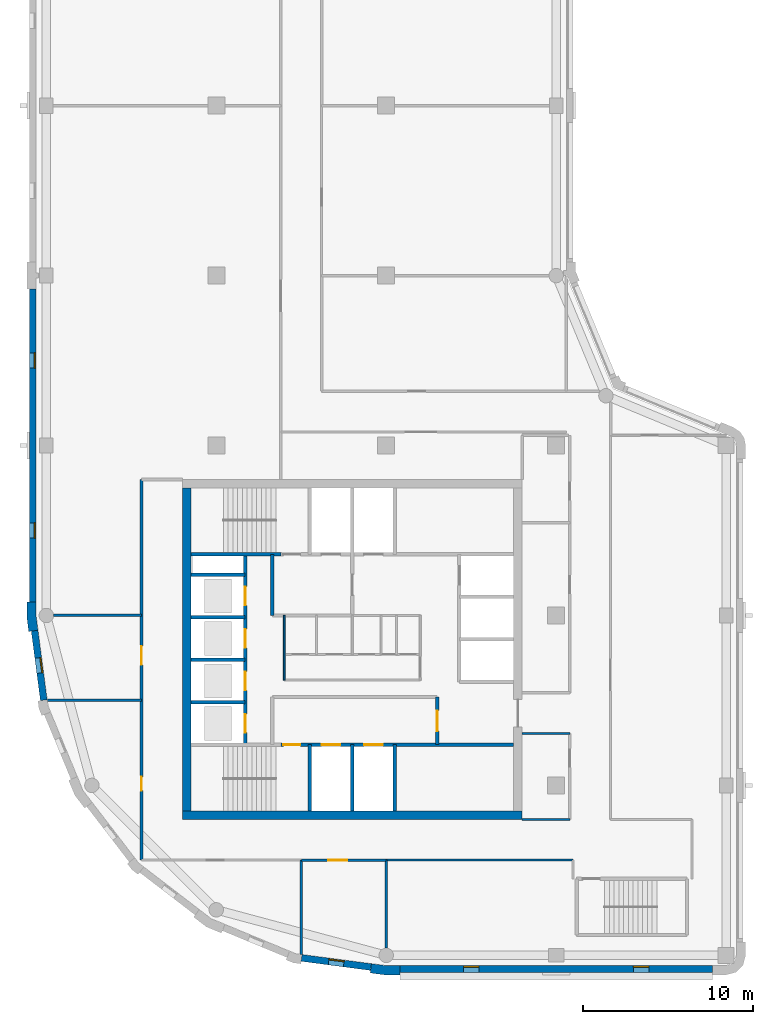
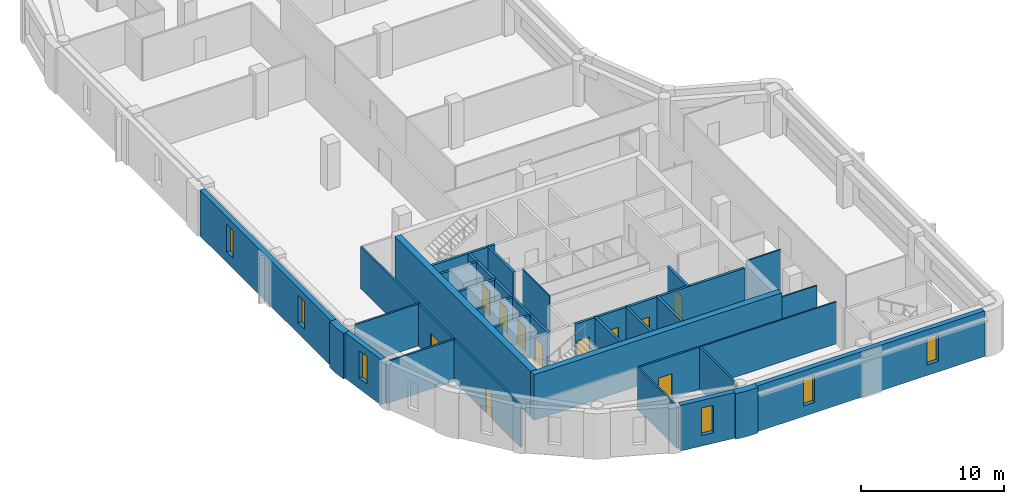
# One storey, part 2 of 8: 30 walls, 11 doors, 6 windows, 17 openings.
"""IFC4 building model written with IfcOpenShell, lengths in metres."""

from ifc_helpers import new_model, si_unit, direction, frame, frame_2d, origin, place, context, subcontext, project, spatial, polyline, rectangle, outline, extrude, material, layer, layer_set, type_object, element, fill, save


model = new_model("IFC4")

# Units and contexts
model_context = context("Model", 3, precision=1e-05, world=origin(), true_north=direction((0.0, 1.0)))
body_context = subcontext(model_context, "Body", "Model", "MODEL_VIEW")
ifc_project = project(units=[si_unit("LENGTHUNIT", "METRE"), si_unit("AREAUNIT", "SQUARE_METRE"), si_unit("VOLUMEUNIT", "CUBIC_METRE"), si_unit("PLANEANGLEUNIT", "RADIAN"), si_unit("MASSUNIT", "GRAM", prefix="KILO")], contexts=[model_context])

# Site, building, storey
site_placement = place(None, origin())
site = spatial("IfcSite", under=ifc_project, at=site_placement, CompositionType="ELEMENT")
building_placement = place(site_placement, origin())
building = spatial("IfcBuilding", under=site, at=building_placement, Name="Qaws Garden Tower", CompositionType="ELEMENT")
storey_placement = place(building_placement, frame((0.0, 0.0, 294.300048828125)))
storey = spatial("IfcBuildingStorey", under=building, at=storey_placement, Name="L71", CompositionType="ELEMENT", Elevation=294.300048828125)

# Wall, openings, windows
ifc_material_1 = material(Name="Clay facing brick masonry", Category="masonry")
ifc_layer_1 = layer(ifc_material_1, 0.39990234375)
ifc_layer_set_1 = layer_set([ifc_layer_1], Name="Clay facing brick masonry")
wall_type_1 = type_object("IfcWallType", Name="Brick infill wall 400", PredefinedType="SOLIDWALL", material=ifc_layer_set_1)
wall_1_placement = place(storey_placement, frame((20.800048828125, -0.800048828125, 0.0), z_axis=(0.0, 0.0, 1.0), x_axis=(1.0, 0.0, 0.0)))
wall_1 = element("IfcWall", 1, at=wall_1_placement, inside=storey, type_object=wall_type_1, Name="E-L71-infill-00", PredefinedType="SOLIDWALL", context=body_context, shape_type="SweptSolid", body=[
    extrude(rectangle(XDim=18.39990234375, YDim=0.39990234375, at=frame_2d((9.199951171875, 0.0))), origin(), (0.0, 0.0, 1.0), 3.89990234375),
])
opening_1_placement = place(wall_1_placement, frame((3.75, 0.0, 0.89990234375)))
opening_1 = element("IfcOpeningElement", 2, at=opening_1_placement, cuts=wall_1, Name="Opening W09", PredefinedType="OPENING", context=body_context, shape_type="SweptSolid", body=[
    extrude(rectangle(XDim=0.89990234375, YDim=2.35009765625, at=frame_2d((0.449951171875, 1.175048828125))), frame((0.0, 0.2099609375, 0.0), z_axis=(0.0, -1.0, 0.0), x_axis=(1.0, 0.0, 0.0)), (0.0, 0.0, 1.0), 0.419921875),
])
opening_2_placement = place(wall_1_placement, frame((13.75, 0.0, 0.89990234375)))
opening_2 = element("IfcOpeningElement", 3, at=opening_2_placement, cuts=wall_1, Name="Opening W09", PredefinedType="OPENING", context=body_context, shape_type="SweptSolid", body=[
    extrude(rectangle(XDim=0.89990234375, YDim=2.35009765625, at=frame_2d((0.449951171875, 1.175048828125))), frame((0.0, 0.2099609375, 0.0), z_axis=(0.0, -1.0, 0.0), x_axis=(1.0, 0.0, 0.0)), (0.0, 0.0, 1.0), 0.419921875),
])
ifc_material_2 = material(Name="Aluminium framed window, clear glazing", Category="aluminium")
window_type = type_object("IfcWindowType", Name="Slit window 900 x 2350", PartitioningType="SINGLE_PANEL", PredefinedType="WINDOW", material=ifc_material_2)
window_1_placement = place(opening_1_placement, origin())
window_1 = element("IfcWindow", 4, at=window_1_placement, inside=storey, type_object=window_type, Name="E-L71-window-00-0", OverallHeight=2.35009765625, OverallWidth=0.89990234375, PartitioningType="SINGLE_PANEL", PredefinedType="WINDOW", context=body_context, shape_type="SweptSolid", body=[
    extrude(rectangle(XDim=0.89990234375, YDim=2.35009765625, at=frame_2d((0.449951171875, 1.175048828125))), frame((0.0, 0.159912109375, 0.0), z_axis=(0.0, -1.0, 0.0), x_axis=(1.0, 0.0, 0.0)), (0.0, 0.0, 1.0), 0.06005859375),
])
fill(opening_1, window_1)
window_2_placement = place(opening_2_placement, origin())
window_2 = element("IfcWindow", 5, at=window_2_placement, inside=storey, type_object=window_type, Name="E-L71-window-01-0", OverallHeight=2.35009765625, OverallWidth=0.89990234375, PartitioningType="SINGLE_PANEL", PredefinedType="WINDOW", context=body_context, shape_type="SweptSolid", body=[
    extrude(rectangle(XDim=0.89990234375, YDim=2.35009765625, at=frame_2d((0.449951171875, 1.175048828125))), frame((0.0, 0.159912109375, 0.0), z_axis=(0.0, -1.0, 0.0), x_axis=(1.0, 0.0, 0.0)), (0.0, 0.0, 1.0), 0.06005859375),
])
fill(opening_2, window_2)

wall_2_placement = place(storey_placement, frame((-0.800048828125, 39.199951171875, 0.0), z_axis=(0.0, 0.0, 1.0), x_axis=(0.0, -1.0, 0.0)))
wall_2 = element("IfcWall", 6, at=wall_2_placement, inside=storey, type_object=wall_type_1, Name="E-L71-infill-19", PredefinedType="SOLIDWALL", context=body_context, shape_type="SweptSolid", body=[
    extrude(rectangle(XDim=18.39990234375, YDim=0.39990234375, at=frame_2d((9.199951171875, 0.0))), origin(), (0.0, 0.0, 1.0), 3.89990234375),
])
opening_3_placement = place(wall_2_placement, frame((3.75, 0.0, 0.89990234375)))
opening_3 = element("IfcOpeningElement", 7, at=opening_3_placement, cuts=wall_2, Name="Opening W09", PredefinedType="OPENING", context=body_context, shape_type="SweptSolid", body=[
    extrude(rectangle(XDim=0.89990234375, YDim=2.35009765625, at=frame_2d((0.449951171875, 1.175048828125))), frame((0.0, 0.2099609375, 0.0), z_axis=(0.0, -1.0, 0.0), x_axis=(1.0, 0.0, 0.0)), (0.0, 0.0, 1.0), 0.419921875),
])
opening_4_placement = place(wall_2_placement, frame((13.75, 0.0, 0.89990234375)))
opening_4 = element("IfcOpeningElement", 8, at=opening_4_placement, cuts=wall_2, Name="Opening W09", PredefinedType="OPENING", context=body_context, shape_type="SweptSolid", body=[
    extrude(rectangle(XDim=0.89990234375, YDim=2.35009765625, at=frame_2d((0.449951171875, 1.175048828125))), frame((0.0, 0.2099609375, 0.0), z_axis=(0.0, -1.0, 0.0), x_axis=(1.0, 0.0, 0.0)), (0.0, 0.0, 1.0), 0.419921875),
])
window_3_placement = place(opening_3_placement, origin())
window_3 = element("IfcWindow", 9, at=window_3_placement, inside=storey, type_object=window_type, Name="E-L71-window-19-0", OverallHeight=2.35009765625, OverallWidth=0.89990234375, PartitioningType="SINGLE_PANEL", PredefinedType="WINDOW", context=body_context, shape_type="SweptSolid", body=[
    extrude(rectangle(XDim=0.89990234375, YDim=2.35009765625, at=frame_2d((0.449951171875, 1.175048828125))), frame((0.0, 0.159912109375, 0.0), z_axis=(0.0, -1.0, 0.0), x_axis=(1.0, 0.0, 0.0)), (0.0, 0.0, 1.0), 0.06005859375),
])
fill(opening_3, window_3)
window_4_placement = place(opening_4_placement, origin())
window_4 = element("IfcWindow", 10, at=window_4_placement, inside=storey, type_object=window_type, Name="E-L71-window-20-0", OverallHeight=2.35009765625, OverallWidth=0.89990234375, PartitioningType="SINGLE_PANEL", PredefinedType="WINDOW", context=body_context, shape_type="SweptSolid", body=[
    extrude(rectangle(XDim=0.89990234375, YDim=2.35009765625, at=frame_2d((0.449951171875, 1.175048828125))), frame((0.0, 0.159912109375, 0.0), z_axis=(0.0, -1.0, 0.0), x_axis=(1.0, 0.0, 0.0)), (0.0, 0.0, 1.0), 0.06005859375),
])
fill(opening_4, window_4)

# Wall, opening, window
wall_3_placement = place(storey_placement, frame((-0.688720703125, 19.102294921875, 0.0), z_axis=(0.0, 0.0, 1.0), x_axis=(0.130514280502, -0.991446429508, 0.0)))
wall_3 = element("IfcWall", 11, at=wall_3_placement, inside=storey, type_object=wall_type_1, Name="E-L71-infill-21", PredefinedType="SOLIDWALL", context=body_context, shape_type="SweptSolid", body=[
    extrude(rectangle(XDim=4.120849609375, YDim=0.39990234375, at=frame_2d((2.060546875, 0.0))), origin(), (0.0, 0.0, 1.0), 3.89990234375),
])
opening_5_placement = place(wall_3_placement, frame((1.610595703125, 0.0, 0.89990234375)))
opening_5 = element("IfcOpeningElement", 12, at=opening_5_placement, cuts=wall_3, Name="Opening W09", PredefinedType="OPENING", context=body_context, shape_type="SweptSolid", body=[
    extrude(rectangle(XDim=0.89990234375, YDim=2.35009765625, at=frame_2d((0.449951171875, 1.175048828125))), frame((0.0, 0.2099609375, 0.0), z_axis=(0.0, -1.0, 0.0), x_axis=(1.0, 0.0, 0.0)), (0.0, 0.0, 1.0), 0.419921875),
])
window_5_placement = place(opening_5_placement, origin())
window_5 = element("IfcWindow", 13, at=window_5_placement, inside=storey, type_object=window_type, Name="E-L71-window-21-0", OverallHeight=2.35009765625, OverallWidth=0.89990234375, PartitioningType="SINGLE_PANEL", PredefinedType="WINDOW", context=body_context, shape_type="SweptSolid", body=[
    extrude(rectangle(XDim=0.89990234375, YDim=2.35009765625, at=frame_2d((0.449951171875, 1.175048828125))), frame((0.0, 0.159912109375, 0.0), z_axis=(0.0, -1.0, 0.0), x_axis=(1.0, 0.0, 0.0)), (0.0, 0.0, 1.0), 0.06005859375),
])
fill(opening_5, window_5)

wall_4_placement = place(storey_placement, frame((15.0166015625, -0.15087890625, 0.0), z_axis=(0.0, 0.0, 1.0), x_axis=(0.991446429508, -0.130514280502, 0.0)))
wall_4 = element("IfcWall", 14, at=wall_4_placement, inside=storey, type_object=wall_type_1, Name="E-L71-infill-26", PredefinedType="SOLIDWALL", context=body_context, shape_type="SweptSolid", body=[
    extrude(rectangle(XDim=4.120849609375, YDim=0.39990234375, at=frame_2d((2.060546875, 0.0))), origin(), (0.0, 0.0, 1.0), 3.89990234375),
])
opening_6_placement = place(wall_4_placement, frame((1.610595703125, 0.0, 0.89990234375)))
opening_6 = element("IfcOpeningElement", 15, at=opening_6_placement, cuts=wall_4, Name="Opening W09", PredefinedType="OPENING", context=body_context, shape_type="SweptSolid", body=[
    extrude(rectangle(XDim=0.89990234375, YDim=2.35009765625, at=frame_2d((0.449951171875, 1.175048828125))), frame((0.0, 0.2099609375, 0.0), z_axis=(0.0, -1.0, 0.0), x_axis=(1.0, 0.0, 0.0)), (0.0, 0.0, 1.0), 0.419921875),
])
window_6_placement = place(opening_6_placement, origin())
window_6 = element("IfcWindow", 16, at=window_6_placement, inside=storey, type_object=window_type, Name="E-L71-window-26-0", OverallHeight=2.35009765625, OverallWidth=0.89990234375, PartitioningType="SINGLE_PANEL", PredefinedType="WINDOW", context=body_context, shape_type="SweptSolid", body=[
    extrude(rectangle(XDim=0.89990234375, YDim=2.35009765625, at=frame_2d((0.449951171875, 1.175048828125))), frame((0.0, 0.159912109375, 0.0), z_axis=(0.0, -1.0, 0.0), x_axis=(1.0, 0.0, 0.0)), (0.0, 0.0, 1.0), 0.06005859375),
])
fill(opening_6, window_6)

# Walls
ifc_material_3 = material(Name="Clay facing brick masonry", Category="masonry")
ifc_layer_2 = layer(ifc_material_3, 0.550048828125)
ifc_layer_set_2 = layer_set([ifc_layer_2], Name="Clay facing brick masonry")
wall_type_2 = type_object("IfcWallType", Name="Brick pier 550 x 1600", PredefinedType="SOLIDWALL", material=ifc_layer_set_2)
placement = place(storey_placement, origin())
element("IfcWall", 17, at=placement, inside=storey, type_object=wall_type_2, Name="E-L71-pier-00", PredefinedType="SOLIDWALL", context=body_context, shape_type="SweptSolid", body=[
    extrude(outline(polyline([(19.076416015625, -0.886962890625), (19.056640625, -1.03564453125), (19.924560546875, -1.14990234375), (20.800048828125, -1.14990234375), (20.800048828125, -1.0), (20.800048828125, -0.60009765625), (19.960693359375, -0.60009765625), (19.12841796875, -0.490478515625), (19.076416015625, -0.886962890625)])), origin(), (0.0, 0.0, 1.0), 3.89990234375),
])
element("IfcWall", 18, at=placement, inside=storey, type_object=wall_type_2, Name="E-L71-pier-21", PredefinedType="SOLIDWALL", context=body_context, shape_type="SweptSolid", body=[
    extrude(outline(polyline([(-1.0, 20.800048828125), (-1.14990234375, 20.800048828125), (-1.14990234375, 19.924560546875), (-1.03564453125, 19.056640625), (-0.886962890625, 19.076416015625), (-0.490478515625, 19.12841796875), (-0.60009765625, 19.960693359375), (-0.60009765625, 20.800048828125), (-1.0, 20.800048828125)])), origin(), (0.0, 0.0, 1.0), 3.89990234375),
])
ifc_material_4 = material(Name="Plasterboard")
ifc_layer_3 = layer(ifc_material_4, 0.10009765625)
ifc_layer_set_3 = layer_set([ifc_layer_3], Name="Plasterboard")
wall_type_3 = type_object("IfcWallType", Name="Core partition 100", PredefinedType="PARTITIONING", material=ifc_layer_set_3)
wall_7_placement = place(storey_placement, frame((14.0, 16.199951171875, 0.0), z_axis=(0.0, 0.0, 1.0), x_axis=(0.0, 1.0, 0.0)))
element("IfcWall", 19, at=wall_7_placement, inside=storey, type_object=wall_type_3, Name="Core partition", PredefinedType="PARTITIONING", context=body_context, shape_type="SweptSolid", body=[
    extrude(rectangle(XDim=3.800048828125, YDim=0.10009765625, at=frame_2d((1.89990234375, 0.0))), origin(), (0.0, 0.0, 1.0), 3.579833984375),
])

# Wall, openings, doors
ifc_material_5 = material(Name="Concrete C60", Category="concrete")
ifc_layer_4 = layer(ifc_material_5, 0.199951171875)
ifc_layer_set_4 = layer_set([ifc_layer_4], Name="Concrete C60")
wall_type_4 = type_object("IfcWallType", Name="Core shaft wall 200 C60", PredefinedType="SHEAR", material=ifc_layer_set_4)
wall_8_placement = place(storey_placement, frame((13.800048828125, 12.39990234375, 0.0), z_axis=(0.0, 0.0, 1.0), x_axis=(1.0, 0.0, 0.0)))
wall_8 = element("IfcWall", 20, at=wall_8_placement, inside=storey, type_object=wall_type_4, Name="Shaft wall", PredefinedType="SHEAR", context=body_context, shape_type="SweptSolid", body=[
    extrude(rectangle(XDim=13.699951171875, YDim=0.199951171875, at=frame_2d((6.85009765625, 0.0))), origin(), (0.0, 0.0, 1.0), 3.579833984375),
])
opening_7_placement = place(wall_8_placement, frame((2.39990234375, 0.0, 0.0)))
opening_7 = element("IfcOpeningElement", 21, at=opening_7_placement, cuts=wall_8, Name="Opening LD06", PredefinedType="OPENING", context=body_context, shape_type="SweptSolid", body=[
    extrude(rectangle(XDim=1.10009765625, YDim=2.10009765625, at=frame_2d((0.550048828125, 1.050048828125))), frame((0.0, 0.10986328125, 0.0), z_axis=(0.0, -1.0, 0.0), x_axis=(1.0, 0.0, 0.0)), (0.0, 0.0, 1.0), 0.219970703125),
])
opening_8_placement = place(wall_8_placement, frame((4.89990234375, 0.0, 0.0)))
opening_8 = element("IfcOpeningElement", 22, at=opening_8_placement, cuts=wall_8, Name="Opening LD07", PredefinedType="OPENING", context=body_context, shape_type="SweptSolid", body=[
    extrude(rectangle(XDim=1.10009765625, YDim=2.10009765625, at=frame_2d((0.550048828125, 1.050048828125))), frame((0.0, 0.10986328125, 0.0), z_axis=(0.0, -1.0, 0.0), x_axis=(1.0, 0.0, 0.0)), (0.0, 0.0, 1.0), 0.219970703125),
])
opening_9_placement = place(wall_8_placement, frame((0.14990234375, 0.0, 0.0)))
opening_9 = element("IfcOpeningElement", 23, at=opening_9_placement, cuts=wall_8, Name="Opening SD10", PredefinedType="OPENING", context=body_context, shape_type="SweptSolid", body=[
    extrude(rectangle(XDim=1.0, YDim=2.10009765625, at=frame_2d((0.5, 1.050048828125))), frame((0.0, 0.10986328125, 0.0), z_axis=(0.0, -1.0, 0.0), x_axis=(1.0, 0.0, 0.0)), (0.0, 0.0, 1.0), 0.219970703125),
])
ifc_material_6 = material(Name="Steel S235", Category="steel")
door_type_1 = type_object("IfcDoorType", Name="Landing door 1100x2100", OperationType="DOUBLE_DOOR_SLIDING", PredefinedType="DOOR", material=ifc_material_6)
door_1_placement = place(opening_7_placement, origin())
door_1 = element("IfcDoor", 24, at=door_1_placement, inside=storey, type_object=door_type_1, Name="Lift FF1 landing door", OperationType="DOUBLE_DOOR_SLIDING", OverallHeight=2.10009765625, OverallWidth=1.10009765625, PredefinedType="DOOR", context=body_context, shape_type="SweptSolid", body=[
    extrude(rectangle(XDim=1.10009765625, YDim=2.10009765625, at=frame_2d((0.550048828125, 1.050048828125))), frame((0.0, 0.02490234375, 0.0), z_axis=(0.0, -1.0, 0.0), x_axis=(1.0, 0.0, 0.0)), (0.0, 0.0, 1.0), 0.050048828125),
])
fill(opening_7, door_1)
door_2_placement = place(opening_8_placement, origin())
door_2 = element("IfcDoor", 25, at=door_2_placement, inside=storey, type_object=door_type_1, Name="Lift FF2 landing door", OperationType="DOUBLE_DOOR_SLIDING", OverallHeight=2.10009765625, OverallWidth=1.10009765625, PredefinedType="DOOR", context=body_context, shape_type="SweptSolid", body=[
    extrude(rectangle(XDim=1.10009765625, YDim=2.10009765625, at=frame_2d((0.550048828125, 1.050048828125))), frame((0.0, 0.02490234375, 0.0), z_axis=(0.0, -1.0, 0.0), x_axis=(1.0, 0.0, 0.0)), (0.0, 0.0, 1.0), 0.050048828125),
])
fill(opening_8, door_2)
ifc_material_7 = material(Name="Steel S235", Category="steel")
door_type_2 = type_object("IfcDoorType", Name="Stair door 1000x2100", OperationType="SINGLE_SWING_RIGHT", PredefinedType="DOOR", material=ifc_material_7)
door_3_placement = place(opening_9_placement, frame((1.0, 0.0, 0.0), z_axis=(0.0, 0.0, 1.0), x_axis=(-1.0, 0.0, 0.0)))
door_3 = element("IfcDoor", 26, at=door_3_placement, inside=storey, type_object=door_type_2, Name="Stair 1 door", OperationType="SINGLE_SWING_LEFT", OverallHeight=2.10009765625, OverallWidth=1.0, PredefinedType="DOOR", context=body_context, shape_type="SweptSolid", body=[
    extrude(rectangle(XDim=1.0, YDim=2.10009765625, at=frame_2d((0.5, 1.050048828125))), frame((0.0, 0.02490234375, 0.0), z_axis=(0.0, -1.0, 0.0), x_axis=(1.0, 0.0, 0.0)), (0.0, 0.0, 1.0), 0.050048828125),
])
fill(opening_9, door_3)

# Walls
for number, where, z_axis, x_axis, name in (
    (27, (8.5, 14.89990234375, 0.0), (0.0, 0.0, 1.0), (1.0, 0.0, 0.0), "Shaft wall"),
    (28, (8.5, 17.39990234375, 0.0), (0.0, 0.0, 1.0), (1.0, 0.0, 0.0), "Shaft wall"),
    (29, (8.5, 19.89990234375, 0.0), (0.0, 0.0, 1.0), (1.0, 0.0, 0.0), "Shaft wall"),
    (30, (8.5, 22.39990234375, 0.0), (0.0, 0.0, 1.0), (1.0, 0.0, 0.0), "Shaft wall"),
):
    element("IfcWall", number, at=place(storey_placement, frame(where, z_axis=z_axis, x_axis=x_axis)), inside=storey, type_object=wall_type_4, Name=name, PredefinedType="SHEAR", context=body_context, shape_type="SweptSolid", body=[
        extrude(rectangle(XDim=3.199951171875, YDim=0.199951171875, at=frame_2d((1.60009765625, 0.0))), origin(), (0.0, 0.0, 1.0), 3.579833984375),
    ])
wall_9_placement = place(storey_placement, frame((8.5, 23.60009765625, 0.0), z_axis=(0.0, 0.0, 1.0), x_axis=(1.0, 0.0, 0.0)))
element("IfcWall", 31, at=wall_9_placement, inside=storey, type_object=wall_type_4, Name="Shaft wall", PredefinedType="SHEAR", context=body_context, shape_type="SweptSolid", body=[
    extrude(rectangle(XDim=5.300048828125, YDim=0.199951171875, at=frame_2d((2.64990234375, 0.0))), origin(), (0.0, 0.0, 1.0), 3.579833984375),
])

# Wall, openings, doors
wall_10_placement = place(storey_placement, frame((11.699951171875, 12.39990234375, 0.0), z_axis=(0.0, 0.0, 1.0), x_axis=(0.0, 1.0, 0.0)))
wall_10 = element("IfcWall", 32, at=wall_10_placement, inside=storey, type_object=wall_type_4, Name="Shaft wall", PredefinedType="SHEAR", context=body_context, shape_type="SweptSolid", body=[
    extrude(rectangle(XDim=11.2001953125, YDim=0.199951171875, at=frame_2d((5.60009765625, 0.0))), origin(), (0.0, 0.0, 1.0), 3.579833984375),
])
opening_10_placement = place(wall_10_placement, frame((0.699951171875, 0.0, 0.0)))
opening_10 = element("IfcOpeningElement", 33, at=opening_10_placement, cuts=wall_10, Name="Opening LD01", PredefinedType="OPENING", context=body_context, shape_type="SweptSolid", body=[
    extrude(rectangle(XDim=1.10009765625, YDim=2.10009765625, at=frame_2d((0.550048828125, 1.050048828125))), frame((0.0, 0.10986328125, 0.0), z_axis=(0.0, -1.0, 0.0), x_axis=(1.0, 0.0, 0.0)), (0.0, 0.0, 1.0), 0.219970703125),
])
opening_11_placement = place(wall_10_placement, frame((3.199951171875, 0.0, 0.0)))
opening_11 = element("IfcOpeningElement", 34, at=opening_11_placement, cuts=wall_10, Name="Opening LD02", PredefinedType="OPENING", context=body_context, shape_type="SweptSolid", body=[
    extrude(rectangle(XDim=1.10009765625, YDim=2.10009765625, at=frame_2d((0.550048828125, 1.050048828125))), frame((0.0, 0.10986328125, 0.0), z_axis=(0.0, -1.0, 0.0), x_axis=(1.0, 0.0, 0.0)), (0.0, 0.0, 1.0), 0.219970703125),
])
opening_12_placement = place(wall_10_placement, frame((5.699951171875, 0.0, 0.0)))
opening_12 = element("IfcOpeningElement", 35, at=opening_12_placement, cuts=wall_10, Name="Opening LD03", PredefinedType="OPENING", context=body_context, shape_type="SweptSolid", body=[
    extrude(rectangle(XDim=1.10009765625, YDim=2.10009765625, at=frame_2d((0.550048828125, 1.050048828125))), frame((0.0, 0.10986328125, 0.0), z_axis=(0.0, -1.0, 0.0), x_axis=(1.0, 0.0, 0.0)), (0.0, 0.0, 1.0), 0.219970703125),
])
opening_13_placement = place(wall_10_placement, frame((8.199951171875, 0.0, 0.0)))
opening_13 = element("IfcOpeningElement", 36, at=opening_13_placement, cuts=wall_10, Name="Opening LD04", PredefinedType="OPENING", context=body_context, shape_type="SweptSolid", body=[
    extrude(rectangle(XDim=1.10009765625, YDim=2.10009765625, at=frame_2d((0.550048828125, 1.050048828125))), frame((0.0, 0.10986328125, 0.0), z_axis=(0.0, -1.0, 0.0), x_axis=(1.0, 0.0, 0.0)), (0.0, 0.0, 1.0), 0.219970703125),
])
door_4_placement = place(opening_10_placement, origin())
door_4 = element("IfcDoor", 37, at=door_4_placement, inside=storey, type_object=door_type_1, Name="Lift W1 landing door", OperationType="DOUBLE_DOOR_SLIDING", OverallHeight=2.10009765625, OverallWidth=1.10009765625, PredefinedType="DOOR", context=body_context, shape_type="SweptSolid", body=[
    extrude(rectangle(XDim=1.10009765625, YDim=2.10009765625, at=frame_2d((0.550048828125, 1.050048828125))), frame((0.0, 0.02490234375, 0.0), z_axis=(0.0, -1.0, 0.0), x_axis=(1.0, 0.0, 0.0)), (0.0, 0.0, 1.0), 0.050048828125),
])
fill(opening_10, door_4)
door_5_placement = place(opening_11_placement, origin())
door_5 = element("IfcDoor", 38, at=door_5_placement, inside=storey, type_object=door_type_1, Name="Lift W2 landing door", OperationType="DOUBLE_DOOR_SLIDING", OverallHeight=2.10009765625, OverallWidth=1.10009765625, PredefinedType="DOOR", context=body_context, shape_type="SweptSolid", body=[
    extrude(rectangle(XDim=1.10009765625, YDim=2.10009765625, at=frame_2d((0.550048828125, 1.050048828125))), frame((0.0, 0.02490234375, 0.0), z_axis=(0.0, -1.0, 0.0), x_axis=(1.0, 0.0, 0.0)), (0.0, 0.0, 1.0), 0.050048828125),
])
fill(opening_11, door_5)
door_6_placement = place(opening_12_placement, origin())
door_6 = element("IfcDoor", 39, at=door_6_placement, inside=storey, type_object=door_type_1, Name="Lift W3 landing door", OperationType="DOUBLE_DOOR_SLIDING", OverallHeight=2.10009765625, OverallWidth=1.10009765625, PredefinedType="DOOR", context=body_context, shape_type="SweptSolid", body=[
    extrude(rectangle(XDim=1.10009765625, YDim=2.10009765625, at=frame_2d((0.550048828125, 1.050048828125))), frame((0.0, 0.02490234375, 0.0), z_axis=(0.0, -1.0, 0.0), x_axis=(1.0, 0.0, 0.0)), (0.0, 0.0, 1.0), 0.050048828125),
])
fill(opening_12, door_6)
door_7_placement = place(opening_13_placement, origin())
door_7 = element("IfcDoor", 40, at=door_7_placement, inside=storey, type_object=door_type_1, Name="Lift W4 landing door", OperationType="DOUBLE_DOOR_SLIDING", OverallHeight=2.10009765625, OverallWidth=1.10009765625, PredefinedType="DOOR", context=body_context, shape_type="SweptSolid", body=[
    extrude(rectangle(XDim=1.10009765625, YDim=2.10009765625, at=frame_2d((0.550048828125, 1.050048828125))), frame((0.0, 0.02490234375, 0.0), z_axis=(0.0, -1.0, 0.0), x_axis=(1.0, 0.0, 0.0)), (0.0, 0.0, 1.0), 0.050048828125),
])
fill(opening_13, door_7)

# Walls
wall_11_placement = place(storey_placement, frame((13.300048828125, 20.0, 0.0), z_axis=(0.0, 0.0, 1.0), x_axis=(0.0, 1.0, 0.0)))
element("IfcWall", 41, at=wall_11_placement, inside=storey, type_object=wall_type_4, Name="Shaft wall", PredefinedType="SHEAR", context=body_context, shape_type="SweptSolid", body=[
    extrude(rectangle(XDim=3.60009765625, YDim=0.199951171875, at=frame_2d((1.800048828125, 0.0))), origin(), (0.0, 0.0, 1.0), 3.579833984375),
])
for number, where, z_axis, x_axis, name in (
    (42, (15.5, 8.5, 0.0), (0.0, 0.0, 1.0), (0.0, 1.0, 0.0), "Shaft wall"),
    (43, (18.0, 8.5, 0.0), (0.0, 0.0, 1.0), (0.0, 1.0, 0.0), "Shaft wall"),
    (44, (20.5, 8.5, 0.0), (0.0, 0.0, 1.0), (0.0, 1.0, 0.0), "Shaft wall"),
):
    element("IfcWall", number, at=place(storey_placement, frame(where, z_axis=z_axis, x_axis=x_axis)), inside=storey, type_object=wall_type_4, Name=name, PredefinedType="SHEAR", context=body_context, shape_type="SweptSolid", body=[
        extrude(rectangle(XDim=3.89990234375, YDim=0.199951171875, at=frame_2d((1.949951171875, 0.0))), origin(), (0.0, 0.0, 1.0), 3.579833984375),
    ])

# Wall, opening, door
wall_12_placement = place(storey_placement, frame((23.0, 12.39990234375, 0.0), z_axis=(0.0, 0.0, 1.0), x_axis=(0.0, 1.0, 0.0)))
wall_12 = element("IfcWall", 45, at=wall_12_placement, inside=storey, type_object=wall_type_4, Name="Shaft wall", PredefinedType="SHEAR", context=body_context, shape_type="SweptSolid", body=[
    extrude(rectangle(XDim=2.800048828125, YDim=0.199951171875, at=frame_2d((1.39990234375, 0.0))), origin(), (0.0, 0.0, 1.0), 3.579833984375),
])
opening_14_placement = place(wall_12_placement, frame((0.800048828125, 0.0, 0.0)))
opening_14 = element("IfcOpeningElement", 46, at=opening_14_placement, cuts=wall_12, Name="Opening FD15", PredefinedType="OPENING", context=body_context, shape_type="SweptSolid", body=[
    extrude(rectangle(XDim=1.199951171875, YDim=2.10009765625, at=frame_2d((0.60009765625, 1.050048828125))), frame((0.0, 0.10986328125, 0.0), z_axis=(0.0, -1.0, 0.0), x_axis=(1.0, 0.0, 0.0)), (0.0, 0.0, 1.0), 0.219970703125),
])
ifc_material_8 = material(Name="Steel S235", Category="steel")
door_type_3 = type_object("IfcDoorType", Name="Lobby door 1200x2100", OperationType="DOUBLE_DOOR_SINGLE_SWING", PredefinedType="DOOR", material=ifc_material_8)
door_8_placement = place(opening_14_placement, origin())
door_8 = element("IfcDoor", 47, at=door_8_placement, inside=storey, type_object=door_type_3, Name="Fire-fighting lobby door", OperationType="DOUBLE_DOOR_SINGLE_SWING", OverallHeight=2.10009765625, OverallWidth=1.199951171875, PredefinedType="DOOR", context=body_context, shape_type="SweptSolid", body=[
    extrude(rectangle(XDim=1.199951171875, YDim=2.10009765625, at=frame_2d((0.60009765625, 1.050048828125))), frame((0.0, 0.02490234375, 0.0), z_axis=(0.0, -1.0, 0.0), x_axis=(1.0, 0.0, 0.0)), (0.0, 0.0, 1.0), 0.050048828125),
])
fill(opening_14, door_8)

# Walls
ifc_material_9 = material(Name="Concrete C60", Category="concrete")
ifc_layer_5 = layer(ifc_material_9, 0.5)
ifc_layer_set_5 = layer_set([ifc_layer_5], Name="Concrete C60")
wall_type_5 = type_object("IfcWallType", Name="Core wall 500 C60", PredefinedType="SHEAR", material=ifc_layer_set_5)
wall_13_placement = place(storey_placement, frame((8.0, 8.25, 0.0), z_axis=(0.0, 0.0, 1.0), x_axis=(1.0, 0.0, 0.0)))
element("IfcWall", 48, at=wall_13_placement, inside=storey, type_object=wall_type_5, Name="Core wall L71 south", PredefinedType="SHEAR", context=body_context, shape_type="SweptSolid", body=[
    extrude(rectangle(XDim=20.0, YDim=0.5, at=frame_2d((10.0, 0.0))), origin(), (0.0, 0.0, 1.0), 3.89990234375),
])
wall_14_placement = place(storey_placement, frame((8.25, 27.5, 0.0), z_axis=(0.0, 0.0, 1.0), x_axis=(0.0, -1.0, 0.0)))
element("IfcWall", 49, at=wall_14_placement, inside=storey, type_object=wall_type_5, Name="Core wall L71 west", PredefinedType="SHEAR", context=body_context, shape_type="SweptSolid", body=[
    extrude(rectangle(XDim=19.0, YDim=0.5, at=frame_2d((9.5, 0.0))), origin(), (0.0, 0.0, 1.0), 3.89990234375),
])
ifc_material_10 = material(Name="Glass and aluminium framing", Category="aluminium")
ifc_layer_6 = layer(ifc_material_10, 0.1201171875)
ifc_layer_set_6 = layer_set([ifc_layer_6], Name="Glass and aluminium framing")
wall_type_6 = type_object("IfcWallType", Name="GLAZED PARTITION 120 EI 30", PredefinedType="PARTITIONING", material=ifc_layer_set_6)
wall_15_placement = place(storey_placement, frame((20.0, 5.60009765625, 0.0), z_axis=(0.0, 0.0, 1.0), x_axis=(1.0, 0.0, 0.0)))
element("IfcWall", 50, at=wall_15_placement, inside=storey, type_object=wall_type_6, Name="O-L71-wall-042", PredefinedType="PARTITIONING", context=body_context, shape_type="SweptSolid", body=[
    extrude(rectangle(XDim=11.0, YDim=0.1201171875, at=frame_2d((5.5, 0.0))), origin(), (0.0, 0.0, 1.0), 3.579833984375),
])
for number, where, z_axis, x_axis, name in (
    (51, (28.0, 8.0, 0.0), (0.0, 0.0, 1.0), (1.0, 0.0, 0.0), "O-L71-wall-043"),
    (52, (28.0, 13.050048828125, 0.0), (0.0, 0.0, 1.0), (1.0, 0.0, 0.0), "O-L71-wall-045"),
):
    element("IfcWall", number, at=place(storey_placement, frame(where, z_axis=z_axis, x_axis=x_axis)), inside=storey, type_object=wall_type_6, Name=name, PredefinedType="PARTITIONING", context=body_context, shape_type="SweptSolid", body=[
        extrude(rectangle(XDim=2.800048828125, YDim=0.1201171875, at=frame_2d((1.39990234375, 0.0))), origin(), (0.0, 0.0, 1.0), 3.579833984375),
    ])

# Wall, openings, doors
ifc_material_11 = material(Name="Gypsum board partition")
ifc_layer_7 = layer(ifc_material_11, 0.14990234375)
ifc_layer_set_7 = layer_set([ifc_layer_7], Name="Gypsum board partition")
wall_type_7 = type_object("IfcWallType", Name="PARTITION 150 EI 60", PredefinedType="PARTITIONING", material=ifc_layer_set_7)
wall_16_placement = place(storey_placement, frame((5.60009765625, 5.60009765625, 0.0), z_axis=(0.0, 0.0, 1.0), x_axis=(0.0, 1.0, 0.0)))
wall_16 = element("IfcWall", 53, at=wall_16_placement, inside=storey, type_object=wall_type_7, Name="O-L71-wall-003", PredefinedType="PARTITIONING", context=body_context, shape_type="SweptSolid", body=[
    extrude(rectangle(XDim=22.39990234375, YDim=0.14990234375, at=frame_2d((11.199951171875, 0.0))), origin(), (0.0, 0.0, 1.0), 3.579833984375),
])
opening_15_placement = place(wall_16_placement, frame((4.10009765625, 0.0, 0.0)))
opening_15 = element("IfcOpeningElement", 54, at=opening_15_placement, cuts=wall_16, Name="Opening C601", PredefinedType="OPENING", context=body_context, shape_type="SweptSolid", body=[
    extrude(rectangle(XDim=0.800048828125, YDim=2.10009765625, at=frame_2d((0.39990234375, 1.050048828125))), frame((0.0, 0.0849609375, 0.0), z_axis=(0.0, -1.0, 0.0), x_axis=(1.0, 0.0, 0.0)), (0.0, 0.0, 1.0), 0.169921875),
])
opening_16_placement = place(wall_16_placement, frame((11.5, 0.0, 0.0)))
opening_16 = element("IfcOpeningElement", 55, at=opening_16_placement, cuts=wall_16, Name="Opening C602", PredefinedType="OPENING", context=body_context, shape_type="SweptSolid", body=[
    extrude(rectangle(XDim=1.10009765625, YDim=2.10009765625, at=frame_2d((0.550048828125, 1.050048828125))), frame((0.0, 0.0849609375, 0.0), z_axis=(0.0, -1.0, 0.0), x_axis=(1.0, 0.0, 0.0)), (0.0, 0.0, 1.0), 0.169921875),
])
ifc_material_12 = material(Name="Timber door leaf", Category="wood")
door_type_4 = type_object("IfcDoorType", Name="SERVICE ROOM DOOR 1100 X 2100", OperationType="SINGLE_SWING_LEFT", PredefinedType="DOOR", material=ifc_material_12)
door_9_placement = place(opening_16_placement, origin())
door_9 = element("IfcDoor", 56, at=door_9_placement, inside=storey, type_object=door_type_4, Name="O-L71-door-002", OperationType="SINGLE_SWING_RIGHT", OverallHeight=2.10009765625, OverallWidth=1.10009765625, PredefinedType="DOOR", context=body_context, shape_type="SweptSolid", body=[
    extrude(rectangle(XDim=1.10009765625, YDim=2.10009765625, at=frame_2d((0.550048828125, 1.050048828125))), frame((0.0, 0.02490234375, 0.0), z_axis=(0.0, -1.0, 0.0), x_axis=(1.0, 0.0, 0.0)), (0.0, 0.0, 1.0), 0.050048828125),
])
fill(opening_16, door_9)
ifc_material_13 = material(Name="Timber door leaf", Category="wood")
door_type_5 = type_object("IfcDoorType", Name="STORE DOOR 800 X 2100", OperationType="SINGLE_SWING_LEFT", PredefinedType="DOOR", material=ifc_material_13)
door_10_placement = place(opening_15_placement, origin())
door_10 = element("IfcDoor", 57, at=door_10_placement, inside=storey, type_object=door_type_5, Name="O-L71-door-001", OperationType="SINGLE_SWING_RIGHT", OverallHeight=2.10009765625, OverallWidth=0.800048828125, PredefinedType="DOOR", context=body_context, shape_type="SweptSolid", body=[
    extrude(rectangle(XDim=0.800048828125, YDim=2.10009765625, at=frame_2d((0.39990234375, 1.050048828125))), frame((0.0, 0.02490234375, 0.0), z_axis=(0.0, -1.0, 0.0), x_axis=(1.0, 0.0, 0.0)), (0.0, 0.0, 1.0), 0.050048828125),
])
fill(opening_15, door_10)

# Walls
wall_17_placement = place(storey_placement, frame((15.0, 0.06298828125, 0.0), z_axis=(0.0, 0.0, 1.0), x_axis=(0.0, 1.0, 0.0)))
element("IfcWall", 58, at=wall_17_placement, inside=storey, type_object=wall_type_7, Name="O-L71-wall-006", PredefinedType="PARTITIONING", context=body_context, shape_type="SweptSolid", body=[
    extrude(rectangle(XDim=5.537109375, YDim=0.14990234375, at=frame_2d((2.7685546875, 0.0))), origin(), (0.0, 0.0, 1.0), 3.579833984375),
])
wall_18_placement = place(storey_placement, frame((20.0, 0.425048828125, 0.0), z_axis=(0.0, 0.0, 1.0), x_axis=(0.0, 1.0, 0.0)))
element("IfcWall", 59, at=wall_18_placement, inside=storey, type_object=wall_type_7, Name="O-L71-wall-010", PredefinedType="PARTITIONING", context=body_context, shape_type="SweptSolid", body=[
    extrude(rectangle(XDim=5.175048828125, YDim=0.14990234375, at=frame_2d((2.58740234375, 0.0))), origin(), (0.0, 0.0, 1.0), 3.579833984375),
])

# Wall, opening, door
wall_19_placement = place(storey_placement, frame((15.0, 5.60009765625, 0.0), z_axis=(0.0, 0.0, 1.0), x_axis=(1.0, 0.0, 0.0)))
wall_19 = element("IfcWall", 60, at=wall_19_placement, inside=storey, type_object=wall_type_7, Name="O-L71-wall-016", PredefinedType="PARTITIONING", context=body_context, shape_type="SweptSolid", body=[
    extrude(rectangle(XDim=5.0, YDim=0.14990234375, at=frame_2d((2.5, 0.0))), origin(), (0.0, 0.0, 1.0), 3.579833984375),
])
opening_17_placement = place(wall_19_placement, frame((1.60009765625, 0.0, 0.0)))
opening_17 = element("IfcOpeningElement", 61, at=opening_17_placement, cuts=wall_19, Name="Opening C610", PredefinedType="OPENING", context=body_context, shape_type="SweptSolid", body=[
    extrude(rectangle(XDim=1.10009765625, YDim=2.10009765625, at=frame_2d((0.550048828125, 1.050048828125))), frame((0.0, 0.0849609375, 0.0), z_axis=(0.0, -1.0, 0.0), x_axis=(1.0, 0.0, 0.0)), (0.0, 0.0, 1.0), 0.169921875),
])
door_11_placement = place(opening_17_placement, frame((1.10009765625, 0.0, 0.0), z_axis=(0.0, 0.0, 1.0), x_axis=(-1.0, 0.0, 0.0)))
door_11 = element("IfcDoor", 62, at=door_11_placement, inside=storey, type_object=door_type_4, Name="O-L71-door-010", OperationType="SINGLE_SWING_LEFT", OverallHeight=2.10009765625, OverallWidth=1.10009765625, PredefinedType="DOOR", context=body_context, shape_type="SweptSolid", body=[
    extrude(rectangle(XDim=1.10009765625, YDim=2.10009765625, at=frame_2d((0.550048828125, 1.050048828125))), frame((0.0, 0.02490234375, 0.0), z_axis=(0.0, -1.0, 0.0), x_axis=(1.0, 0.0, 0.0)), (0.0, 0.0, 1.0), 0.050048828125),
])
fill(opening_17, door_11)

# Walls
wall_20_placement = place(storey_placement, frame((0.06298828125, 15.0, 0.0), z_axis=(0.0, 0.0, 1.0), x_axis=(1.0, 0.0, 0.0)))
element("IfcWall", 63, at=wall_20_placement, inside=storey, type_object=wall_type_7, Name="O-L71-wall-017", PredefinedType="PARTITIONING", context=body_context, shape_type="SweptSolid", body=[
    extrude(rectangle(XDim=5.537109375, YDim=0.14990234375, at=frame_2d((2.7685546875, 0.0))), origin(), (0.0, 0.0, 1.0), 3.579833984375),
])
wall_21_placement = place(storey_placement, frame((0.425048828125, 20.0, 0.0), z_axis=(0.0, 0.0, 1.0), x_axis=(1.0, 0.0, 0.0)))
element("IfcWall", 64, at=wall_21_placement, inside=storey, type_object=wall_type_7, Name="O-L71-wall-019", PredefinedType="PARTITIONING", context=body_context, shape_type="SweptSolid", body=[
    extrude(rectangle(XDim=5.175048828125, YDim=0.14990234375, at=frame_2d((2.58740234375, 0.0))), origin(), (0.0, 0.0, 1.0), 3.579833984375),
])

save(model, "model.ifc")
